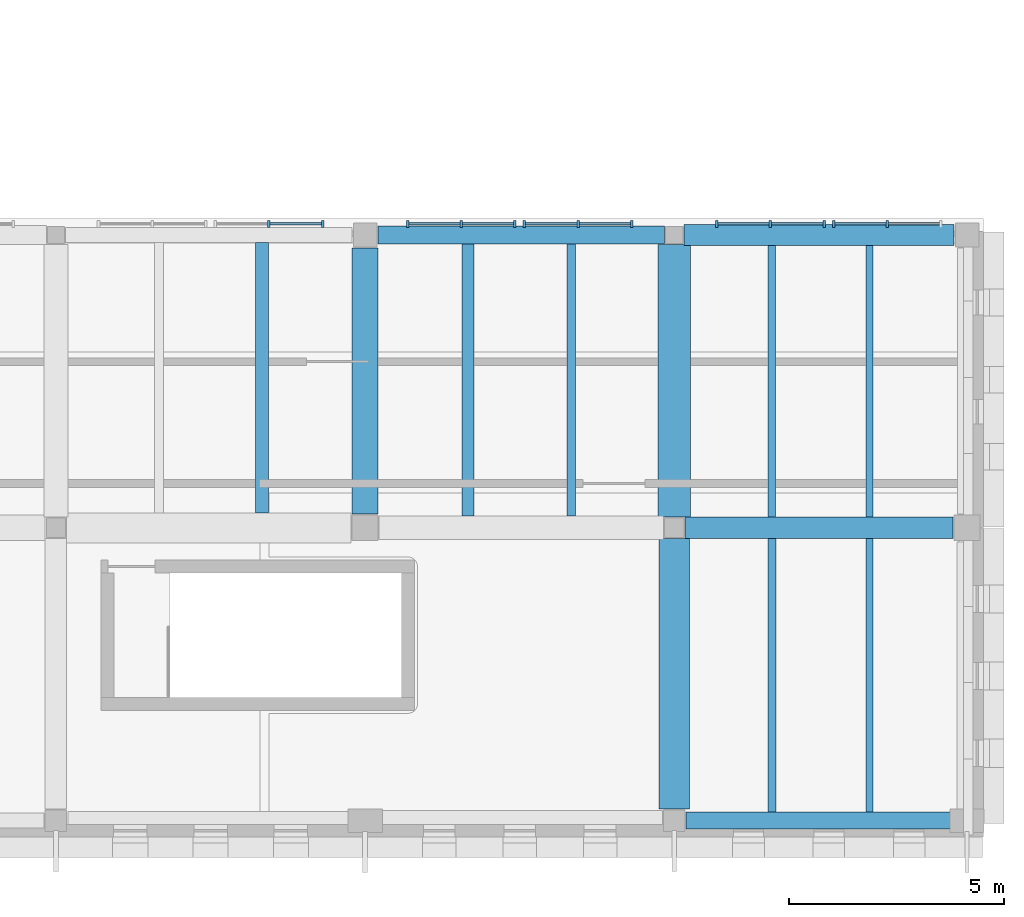
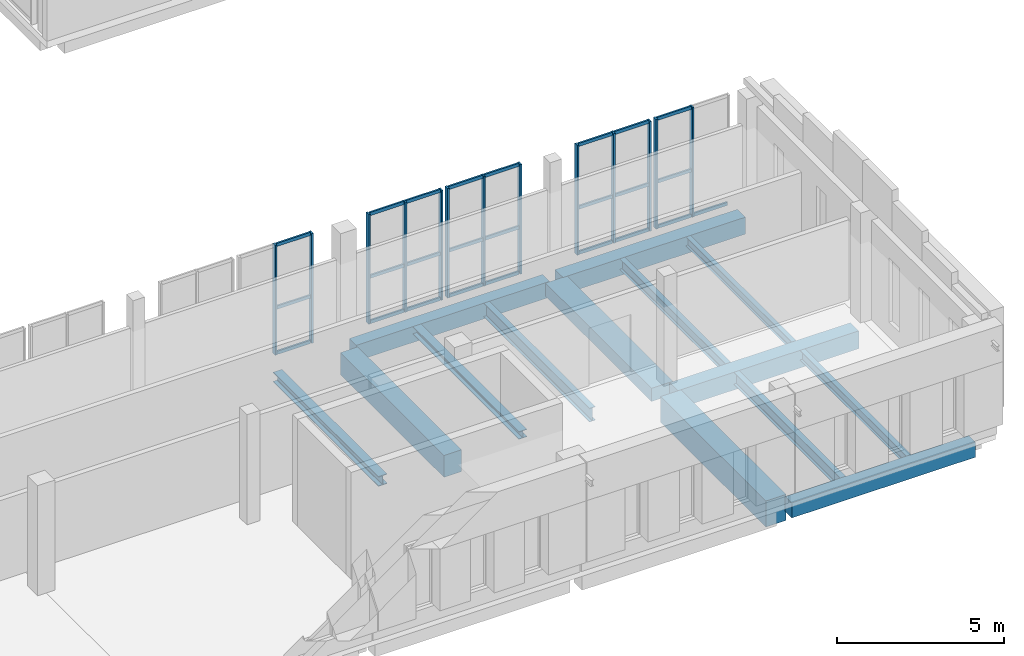
# One storey, part 22 of 56: 38 members, 14 beams, 5 elements without a shape of their own.
"""IFC4 building model written with IfcOpenShell, lengths in metres."""

from ifc_helpers import new_model, si_unit, direction, frame, origin, origin_2d, place, context, subcontext, project, spatial, rectangle, i_section, extrude, material, layer, layer_set, material_profile, profile_set, type_object, element, aggregate, save


model = new_model("IFC4")

# Units and contexts
model_context = context("Model", 3, precision=1e-05, world=origin(), true_north=direction((0.0, 1.0)))
body_context = subcontext(model_context, "Body", "Model", "MODEL_VIEW")
ifc_project = project(units=[si_unit("LENGTHUNIT", "METRE"), si_unit("AREAUNIT", "SQUARE_METRE"), si_unit("VOLUMEUNIT", "CUBIC_METRE"), si_unit("PLANEANGLEUNIT", "RADIAN"), si_unit("MASSUNIT", "GRAM", prefix="KILO")], contexts=[model_context])

# Site, building, storey
site_placement = place(None, origin())
site = spatial("IfcSite", under=ifc_project, at=site_placement, CompositionType="ELEMENT")
building_placement = place(site_placement, origin())
building = spatial("IfcBuilding", under=site, at=building_placement, Name="Vardoun Plaza Health Centre", CompositionType="ELEMENT")
storey_placement = place(building_placement, frame((0.0, 0.0, 8.699951171875)))
storey = spatial("IfcBuildingStorey", under=building, at=storey_placement, Name="L02", CompositionType="ELEMENT", Elevation=8.699951171875)

# Beams
ifc_material_1 = material(Name="Concrete C35/45", Category="concrete")
ifc_material_profile_1 = material_profile(ifc_material_1, rectangle(XDim=0.39990234375, YDim=0.550048828125, at=origin_2d()), Name="RC-BM 400x550")
ifc_profile_set_1 = profile_set([ifc_material_profile_1], Name="Concrete C35/45")
beam_type_1 = type_object("IfcBeamType", Name="B-09", PredefinedType="SPANDREL", material=ifc_profile_set_1)
beam_1_placement = place(storey_placement, frame((158.375, 4.8798828125, -0.570068359375), z_axis=(1.0, 0.0, 0.0), x_axis=(0.0, 1.0, 0.0)))
element("IfcBeam", 1, at=beam_1_placement, inside=storey, type_object=beam_type_1, Name="V5 L02 Beam B-V5-L02-X22", PredefinedType="SPANDREL", context=body_context, shape_type="SweptSolid", body=[
    extrude(rectangle(XDim=0.39990234375, YDim=0.550048828125, at=origin_2d()), origin(), (0.0, 0.0, 1.0), 6.344970703125),
])
ifc_material_2 = material(Name="Concrete C35/45", Category="concrete")
ifc_material_profile_2 = material_profile(ifc_material_2, rectangle(XDim=0.419921875, YDim=0.580078125, at=origin_2d()), Name="RC-BM 420x580")
ifc_profile_set_2 = profile_set([ifc_material_profile_2], Name="Concrete C35/45")
beam_type_2 = type_object("IfcBeamType", Name="B-10", PredefinedType="SPANDREL", material=ifc_profile_set_2)
beam_2_placement = place(storey_placement, frame((151.199951171875, 18.52001953125, -0.5849609375), z_axis=(1.0, 0.0, 0.0), x_axis=(0.0, 1.0, 0.0)))
element("IfcBeam", 2, at=beam_2_placement, inside=storey, type_object=beam_type_2, Name="V5 L02 Beam B-V5-L02-X21", PredefinedType="SPANDREL", context=body_context, shape_type="SweptSolid", body=[
    extrude(rectangle(XDim=0.419921875, YDim=0.580078125, at=origin_2d()), origin(), (0.0, 0.0, 1.0), 6.675048828125),
])
ifc_material_3 = material(Name="Concrete C35/45", Category="concrete")
ifc_material_profile_3 = material_profile(ifc_material_3, rectangle(XDim=0.47998046875, YDim=0.6201171875, at=origin_2d()), Name="RC-BM 480x620")
ifc_profile_set_3 = profile_set([ifc_material_profile_3], Name="Concrete C35/45")
beam_type_3 = type_object("IfcBeamType", Name="B-12", PredefinedType="SPANDREL", material=ifc_profile_set_3)
beam_3_placement = place(storey_placement, frame((158.324951171875, 18.52001953125, -0.60498046875), z_axis=(1.0, 0.0, 0.0), x_axis=(0.0, 1.0, 0.0)))
element("IfcBeam", 3, at=beam_3_placement, inside=storey, type_object=beam_type_3, Name="V5 L02 Beam B-V5-L02-X24", PredefinedType="SPANDREL", context=body_context, shape_type="SweptSolid", body=[
    extrude(rectangle(XDim=0.47998046875, YDim=0.6201171875, at=origin_2d()), origin(), (0.0, 0.0, 1.0), 6.295166015625),
])
ifc_material_4 = material(Name="Concrete C40/50", Category="concrete")
ifc_material_profile_4 = material_profile(ifc_material_4, rectangle(XDim=0.5, YDim=0.64990234375, at=origin_2d()), Name="RC-BM 500x650")
ifc_profile_set_4 = profile_set([ifc_material_profile_4], Name="Concrete C40/50")
beam_type_4 = type_object("IfcBeamType", Name="B-13", PredefinedType="BEAM", material=ifc_profile_set_4)
beam_4_placement = place(storey_placement, frame((158.35009765625, 11.699951171875, -0.619873046875), z_axis=(1.0, 0.0, 0.0), x_axis=(0.0, 1.0, 0.0)))
element("IfcBeam", 4, at=beam_4_placement, inside=storey, type_object=beam_type_4, Name="V5 L02 Beam B-V5-L02-X23", PredefinedType="BEAM", context=body_context, shape_type="SweptSolid", body=[
    extrude(rectangle(XDim=0.5, YDim=0.64990234375, at=origin_2d()), origin(), (0.0, 0.0, 1.0), 6.244873046875),
])
ifc_material_5 = material(Name="Concrete C40/50", Category="concrete")
ifc_material_profile_5 = material_profile(ifc_material_5, rectangle(XDim=0.60009765625, YDim=0.800048828125, at=origin_2d()), Name="RC-BM 600x800")
ifc_profile_set_5 = profile_set([ifc_material_profile_5], Name="Concrete C40/50")
beam_type_5 = type_object("IfcBeamType", Name="B-15", PredefinedType="JOIST", material=ifc_profile_set_5)
beam_5_placement = place(storey_placement, frame((150.89990234375, 12.02490234375, -0.695068359375), z_axis=(0.0, 1.0, 0.0), x_axis=(-1.0, 0.0, 0.0)))
element("IfcBeam", 5, at=beam_5_placement, inside=storey, type_object=beam_type_5, Name="V5 L02 Beam B-V5-L02-Y36", PredefinedType="JOIST", context=body_context, shape_type="SweptSolid", body=[
    extrude(rectangle(XDim=0.60009765625, YDim=0.800048828125, at=origin_2d()), origin(), (0.0, 0.0, 1.0), 6.195068359375),
])
ifc_material_6 = material(Name="Concrete C40/50", Category="concrete")
ifc_material_profile_6 = material_profile(ifc_material_6, rectangle(XDim=0.699951171875, YDim=0.949951171875, at=origin_2d()), Name="RC-BM 700x950")
ifc_profile_set_6 = profile_set([ifc_material_profile_6], Name="Concrete C40/50")
beam_type_6 = type_object("IfcBeamType", Name="B-16", PredefinedType="LINTEL", material=ifc_profile_set_6)
beam_6_placement = place(storey_placement, frame((158.10009765625, 5.155029296875, -0.77001953125), z_axis=(0.0, 1.0, 0.0), x_axis=(-1.0, 0.0, 0.0)))
element("IfcBeam", 6, at=beam_6_placement, inside=storey, type_object=beam_type_6, Name="V5 L02 Beam B-V5-L02-Y37", PredefinedType="LINTEL", context=body_context, shape_type="SweptSolid", body=[
    extrude(rectangle(XDim=0.699951171875, YDim=0.949951171875, at=origin_2d()), origin(), (0.0, 0.0, 1.0), 6.294921875),
])
ifc_material_7 = material(Name="Concrete C35/45", Category="concrete")
ifc_material_profile_7 = material_profile(ifc_material_7, rectangle(XDim=0.75, YDim=0.47998046875, at=origin_2d()), Name="RC-BM 750x480")
ifc_profile_set_7 = profile_set([ifc_material_profile_7], Name="Concrete C35/45")
beam_type_7 = type_object("IfcBeamType", Name="B-07", PredefinedType="BEAM", material=ifc_profile_set_7)
beam_7_placement = place(storey_placement, frame((158.10009765625, 11.949951171875, -0.534912109375), z_axis=(0.0, 1.0, 0.0), x_axis=(-1.0, 0.0, 0.0)))
element("IfcBeam", 7, at=beam_7_placement, inside=storey, type_object=beam_type_7, Name="V5 L02 Beam B-V5-L02-Y38", PredefinedType="BEAM", context=body_context, shape_type="SweptSolid", body=[
    extrude(rectangle(XDim=0.75, YDim=0.47998046875, at=origin_2d()), origin(), (0.0, 0.0, 1.0), 6.344970703125),
])
ifc_material_8 = material(Name="Steel S355J2", Category="steel")
ifc_material_profile_8 = material_profile(ifc_material_8, i_section(OverallWidth=0.280029296875, OverallDepth=0.280029296875, WebThickness=0.010498046875, FlangeThickness=0.01806640625, FilletRadius=0.02392578125, at=origin_2d()), Name="HEB 280")
ifc_profile_set_8 = profile_set([ifc_material_profile_8], Name="Steel S355J2")
beam_type_8 = type_object("IfcBeamType", Name="SB-02", PredefinedType="BEAM", material=ifc_profile_set_8)
beam_8_placement = place(storey_placement, frame((153.2998046875, 11.97509765625, -0.43505859375), z_axis=(0.0, 1.0, 0.0), x_axis=(-1.0, 0.0, 0.0)))
element("IfcBeam", 8, at=beam_8_placement, inside=storey, type_object=beam_type_8, Name="V5 L02 Secondary Floor Beam SJ-V5-L02-19", PredefinedType="BEAM", context=body_context, shape_type="SweptSolid", body=[
    extrude(i_section(OverallWidth=0.280029296875, OverallDepth=0.280029296875, WebThickness=0.010498046875, FlangeThickness=0.01806640625, FilletRadius=0.02392578125, at=origin_2d()), origin(), (0.0, 0.0, 1.0), 6.3349609375),
])
ifc_material_9 = material(Name="Steel S355J2", Category="steel")
ifc_material_profile_9 = material_profile(ifc_material_9, i_section(OverallWidth=0.300048828125, OverallDepth=0.360107421875, WebThickness=0.012451171875, FlangeThickness=0.0224609375, FilletRadius=0.027099609375, at=origin_2d()), Name="HEB 360")
ifc_profile_set_9 = profile_set([ifc_material_profile_9], Name="Steel S355J2")
beam_type_9 = type_object("IfcBeamType", Name="RB-04", PredefinedType="BEAM", material=ifc_profile_set_9)
beam_9_placement = place(storey_placement, frame((148.500244140625, 12.050048828125, -0.474853515625), z_axis=(0.0, 1.0, 0.0), x_axis=(-1.0, 0.0, 0.0)))
element("IfcBeam", 9, at=beam_9_placement, inside=storey, type_object=beam_type_9, Name="V5 L02 Secondary Floor Beam SJ-V5-L02-18", PredefinedType="BEAM", context=body_context, shape_type="SweptSolid", body=[
    extrude(i_section(OverallWidth=0.300048828125, OverallDepth=0.360107421875, WebThickness=0.012451171875, FlangeThickness=0.0224609375, FilletRadius=0.027099609375, at=origin_2d()), origin(), (0.0, 0.0, 1.0), 6.294921875),
])
ifc_material_10 = material(Name="Steel S355J2", Category="steel")
ifc_material_profile_10 = material_profile(ifc_material_10, i_section(OverallWidth=0.159912109375, OverallDepth=0.330078125, WebThickness=0.007568359375, FlangeThickness=0.011474609375, FilletRadius=0.01806640625, at=origin_2d()), Name="IPE 330")
ifc_profile_set_10 = profile_set([ifc_material_profile_10], Name="Steel S355J2")
beam_type_10 = type_object("IfcBeamType", Name="SB-14", PredefinedType="JOIST", material=ifc_profile_set_10)
beam_10_placement = place(storey_placement, frame((162.64697265625, 11.949951171875, -0.4599609375), z_axis=(0.0, 1.0, 0.0), x_axis=(-1.0, 0.0, 0.0)))
element("IfcBeam", 10, at=beam_10_placement, inside=storey, type_object=beam_type_10, Name="V5 L02 Secondary Floor Beam SJ-V5-L02-24", PredefinedType="JOIST", context=body_context, shape_type="SweptSolid", body=[
    extrude(i_section(OverallWidth=0.159912109375, OverallDepth=0.330078125, WebThickness=0.007568359375, FlangeThickness=0.011474609375, FilletRadius=0.01806640625, at=origin_2d()), origin(), (0.0, 0.0, 1.0), 6.330078125),
])
ifc_material_11 = material(Name="Steel S355J2", Category="steel")
ifc_material_profile_11 = material_profile(ifc_material_11, i_section(OverallWidth=0.169921875, OverallDepth=0.360107421875, WebThickness=0.008056640625, FlangeThickness=0.0126953125, FilletRadius=0.01806640625, at=origin_2d()), Name="IPE 360")
ifc_profile_set_11 = profile_set([ifc_material_profile_11], Name="Steel S355J2")
beam_type_11 = type_object("IfcBeamType", Name="SB-13", PredefinedType="JOIST", material=ifc_profile_set_11)
beam_11_placement = place(storey_placement, frame((162.64697265625, 5.080078125, -0.474853515625), z_axis=(0.0, 1.0, 0.0), x_axis=(-1.0, 0.0, 0.0)))
element("IfcBeam", 11, at=beam_11_placement, inside=storey, type_object=beam_type_11, Name="V5 L02 Secondary Floor Beam SJ-V5-L02-23", PredefinedType="JOIST", context=body_context, shape_type="SweptSolid", body=[
    extrude(i_section(OverallWidth=0.169921875, OverallDepth=0.360107421875, WebThickness=0.008056640625, FlangeThickness=0.0126953125, FilletRadius=0.01806640625, at=origin_2d()), origin(), (0.0, 0.0, 1.0), 6.369873046875),
])
ifc_material_12 = material(Name="Steel S355J2", Category="steel")
ifc_material_profile_12 = material_profile(ifc_material_12, i_section(OverallWidth=0.179931640625, OverallDepth=0.39990234375, WebThickness=0.008544921875, FlangeThickness=0.013427734375, FilletRadius=0.02099609375, at=origin_2d()), Name="IPE 400")
ifc_profile_set_12 = profile_set([ifc_material_profile_12], Name="Steel S355J2")
beam_type_12 = type_object("IfcBeamType", Name="SB-12", PredefinedType="BEAM", material=ifc_profile_set_12)
beam_12_placement = place(storey_placement, frame((160.373046875, 11.949951171875, -0.494873046875), z_axis=(0.0, 1.0, 0.0), x_axis=(-1.0, 0.0, 0.0)))
element("IfcBeam", 12, at=beam_12_placement, inside=storey, type_object=beam_type_12, Name="V5 L02 Secondary Floor Beam SJ-V5-L02-22", PredefinedType="BEAM", context=body_context, shape_type="SweptSolid", body=[
    extrude(i_section(OverallWidth=0.179931640625, OverallDepth=0.39990234375, WebThickness=0.008544921875, FlangeThickness=0.013427734375, FilletRadius=0.02099609375, at=origin_2d()), origin(), (0.0, 0.0, 1.0), 6.330078125),
])
ifc_material_13 = material(Name="Steel S355J2", Category="steel")
ifc_material_profile_13 = material_profile(ifc_material_13, i_section(OverallWidth=0.18994140625, OverallDepth=0.449951171875, WebThickness=0.009521484375, FlangeThickness=0.0146484375, FilletRadius=0.02099609375, at=origin_2d()), Name="IPE 450")
ifc_profile_set_13 = profile_set([ifc_material_profile_13], Name="Steel S355J2")
beam_type_13 = type_object("IfcBeamType", Name="SB-11", PredefinedType="BEAM", material=ifc_profile_set_13)
beam_13_placement = place(storey_placement, frame((160.373046875, 5.080078125, -0.52001953125), z_axis=(0.0, 1.0, 0.0), x_axis=(-1.0, 0.0, 0.0)))
element("IfcBeam", 13, at=beam_13_placement, inside=storey, type_object=beam_type_13, Name="V5 L02 Secondary Floor Beam SJ-V5-L02-21", PredefinedType="BEAM", context=body_context, shape_type="SweptSolid", body=[
    extrude(i_section(OverallWidth=0.18994140625, OverallDepth=0.449951171875, WebThickness=0.009521484375, FlangeThickness=0.0146484375, FilletRadius=0.02099609375, at=origin_2d()), origin(), (0.0, 0.0, 1.0), 6.369873046875),
])
ifc_material_14 = material(Name="Steel S355J2", Category="steel")
ifc_material_profile_14 = material_profile(ifc_material_14, i_section(OverallWidth=0.199951171875, OverallDepth=0.5, WebThickness=0.01025390625, FlangeThickness=0.01611328125, FilletRadius=0.02099609375, at=origin_2d()), Name="IPE 500")
ifc_profile_set_14 = profile_set([ifc_material_profile_14], Name="Steel S355J2")
beam_type_14 = type_object("IfcBeamType", Name="SB-10", PredefinedType="BEAM", material=ifc_profile_set_14)
beam_14_placement = place(storey_placement, frame((155.7001953125, 11.97509765625, -0.544921875), z_axis=(0.0, 1.0, 0.0), x_axis=(-1.0, 0.0, 0.0)))
element("IfcBeam", 14, at=beam_14_placement, inside=storey, type_object=beam_type_14, Name="V5 L02 Secondary Floor Beam SJ-V5-L02-20", PredefinedType="BEAM", context=body_context, shape_type="SweptSolid", body=[
    extrude(i_section(OverallWidth=0.199951171875, OverallDepth=0.5, WebThickness=0.01025390625, FlangeThickness=0.01611328125, FilletRadius=0.02099609375, at=origin_2d()), origin(), (0.0, 0.0, 1.0), 6.3349609375),
])

# Curtain wall, members
ifc_material_15 = material(Name="Aluminium Alloy EN AW-6063-T6 and Low-E Glass", Category="aluminium")
ifc_layer = layer(ifc_material_15, 0.14990234375)
ifc_layer_set = layer_set([ifc_layer], Name="Aluminium Alloy EN AW-6063-T6 and Low-E Glass")
curtain_wall_type = type_object("IfcCurtainWallType", Name="CW-03", PredefinedType="NOTDEFINED", material=ifc_layer_set)
curtain_wall_1_placement = place(storey_placement, origin())
curtain_wall_1 = element("IfcCurtainWall", 15, at=curtain_wall_1_placement, inside=storey, type_object=curtain_wall_type, Name="Curtain Wall CW-V5-176", PredefinedType="NOTDEFINED")
ifc_material_16 = material(Name="Aluminium Alloy EN AW-6063-T6", Category="aluminium")
ifc_material_profile_15 = material_profile(ifc_material_16, rectangle(XDim=0.159912109375, YDim=0.06005859375, at=origin_2d()), Name="CWM 60x160")
ifc_profile_set_15 = profile_set([ifc_material_profile_15], Name="Aluminium Alloy EN AW-6063-T6")
member_type_1 = type_object("IfcMemberType", Name="CW-M1", PredefinedType="MULLION", material=ifc_profile_set_15)
member_1_placement = place(storey_placement, frame((148.659912109375, 18.780029296875, 0.0), z_axis=(0.0, 0.0, 1.0), x_axis=(0.0, 1.0, 0.0)))
member_1 = element("IfcMember", 16, at=member_1_placement, type_object=member_type_1, Name="CW-V5-176 mullion 2", PredefinedType="MULLION", context=body_context, shape_type="SweptSolid", body=[
    extrude(rectangle(XDim=0.159912109375, YDim=0.06005859375, at=origin_2d()), origin(), (0.0, 0.0, 1.0), 4.005126953125),
])
member_2_placement = place(storey_placement, frame((149.909912109375, 18.780029296875, 0.0), z_axis=(0.0, 0.0, 1.0), x_axis=(0.0, 1.0, 0.0)))
member_2 = element("IfcMember", 17, at=member_2_placement, type_object=member_type_1, Name="CW-V5-176 mullion 3", PredefinedType="MULLION", context=body_context, shape_type="SweptSolid", body=[
    extrude(rectangle(XDim=0.159912109375, YDim=0.06005859375, at=origin_2d()), origin(), (0.0, 0.0, 1.0), 4.005126953125),
])

curtain_wall_2_placement = place(storey_placement, origin())
curtain_wall_2 = element("IfcCurtainWall", 18, at=curtain_wall_2_placement, inside=storey, type_object=curtain_wall_type, Name="Curtain Wall CW-V5-177", PredefinedType="NOTDEFINED")
member_3_placement = place(storey_placement, frame((151.889892578125, 18.780029296875, 0.0), z_axis=(0.0, 0.0, 1.0), x_axis=(0.0, 1.0, 0.0)))
member_3 = element("IfcMember", 19, at=member_3_placement, type_object=member_type_1, Name="CW-V5-177 mullion 1", PredefinedType="MULLION", context=body_context, shape_type="SweptSolid", body=[
    extrude(rectangle(XDim=0.159912109375, YDim=0.06005859375, at=origin_2d()), origin(), (0.0, 0.0, 1.0), 4.005126953125),
])
member_4_placement = place(storey_placement, frame((153.139892578125, 18.780029296875, 0.0), z_axis=(0.0, 0.0, 1.0), x_axis=(0.0, 1.0, 0.0)))
member_4 = element("IfcMember", 20, at=member_4_placement, type_object=member_type_1, Name="CW-V5-177 mullion 2", PredefinedType="MULLION", context=body_context, shape_type="SweptSolid", body=[
    extrude(rectangle(XDim=0.159912109375, YDim=0.06005859375, at=origin_2d()), origin(), (0.0, 0.0, 1.0), 4.005126953125),
])
member_5_placement = place(storey_placement, frame((154.389892578125, 18.780029296875, 0.0), z_axis=(0.0, 0.0, 1.0), x_axis=(0.0, 1.0, 0.0)))
member_5 = element("IfcMember", 21, at=member_5_placement, type_object=member_type_1, Name="CW-V5-177 mullion 3", PredefinedType="MULLION", context=body_context, shape_type="SweptSolid", body=[
    extrude(rectangle(XDim=0.159912109375, YDim=0.06005859375, at=origin_2d()), origin(), (0.0, 0.0, 1.0), 4.005126953125),
])

curtain_wall_3_placement = place(storey_placement, origin())
curtain_wall_3 = element("IfcCurtainWall", 22, at=curtain_wall_3_placement, inside=storey, type_object=curtain_wall_type, Name="Curtain Wall CW-V5-178", PredefinedType="NOTDEFINED")
member_6_placement = place(storey_placement, frame((154.610107421875, 18.780029296875, 0.0), z_axis=(0.0, 0.0, 1.0), x_axis=(0.0, 1.0, 0.0)))
member_6 = element("IfcMember", 23, at=member_6_placement, type_object=member_type_1, Name="CW-V5-178 mullion 1", PredefinedType="MULLION", context=body_context, shape_type="SweptSolid", body=[
    extrude(rectangle(XDim=0.159912109375, YDim=0.06005859375, at=origin_2d()), origin(), (0.0, 0.0, 1.0), 4.005126953125),
])
member_7_placement = place(storey_placement, frame((155.860107421875, 18.780029296875, 0.0), z_axis=(0.0, 0.0, 1.0), x_axis=(0.0, 1.0, 0.0)))
member_7 = element("IfcMember", 24, at=member_7_placement, type_object=member_type_1, Name="CW-V5-178 mullion 2", PredefinedType="MULLION", context=body_context, shape_type="SweptSolid", body=[
    extrude(rectangle(XDim=0.159912109375, YDim=0.06005859375, at=origin_2d()), origin(), (0.0, 0.0, 1.0), 4.005126953125),
])
member_8_placement = place(storey_placement, frame((157.110107421875, 18.780029296875, 0.0), z_axis=(0.0, 0.0, 1.0), x_axis=(0.0, 1.0, 0.0)))
member_8 = element("IfcMember", 25, at=member_8_placement, type_object=member_type_1, Name="CW-V5-178 mullion 3", PredefinedType="MULLION", context=body_context, shape_type="SweptSolid", body=[
    extrude(rectangle(XDim=0.159912109375, YDim=0.06005859375, at=origin_2d()), origin(), (0.0, 0.0, 1.0), 4.005126953125),
])

curtain_wall_4_placement = place(storey_placement, origin())
curtain_wall_4 = element("IfcCurtainWall", 26, at=curtain_wall_4_placement, inside=storey, type_object=curtain_wall_type, Name="Curtain Wall CW-V5-179", PredefinedType="NOTDEFINED")
member_9_placement = place(storey_placement, frame((159.090087890625, 18.780029296875, 0.0), z_axis=(0.0, 0.0, 1.0), x_axis=(0.0, 1.0, 0.0)))
member_9 = element("IfcMember", 27, at=member_9_placement, type_object=member_type_1, Name="CW-V5-179 mullion 1", PredefinedType="MULLION", context=body_context, shape_type="SweptSolid", body=[
    extrude(rectangle(XDim=0.159912109375, YDim=0.06005859375, at=origin_2d()), origin(), (0.0, 0.0, 1.0), 4.005126953125),
])
member_10_placement = place(storey_placement, frame((160.340087890625, 18.780029296875, 0.0), z_axis=(0.0, 0.0, 1.0), x_axis=(0.0, 1.0, 0.0)))
member_10 = element("IfcMember", 28, at=member_10_placement, type_object=member_type_1, Name="CW-V5-179 mullion 2", PredefinedType="MULLION", context=body_context, shape_type="SweptSolid", body=[
    extrude(rectangle(XDim=0.159912109375, YDim=0.06005859375, at=origin_2d()), origin(), (0.0, 0.0, 1.0), 4.005126953125),
])
member_11_placement = place(storey_placement, frame((161.590087890625, 18.780029296875, 0.0), z_axis=(0.0, 0.0, 1.0), x_axis=(0.0, 1.0, 0.0)))
member_11 = element("IfcMember", 29, at=member_11_placement, type_object=member_type_1, Name="CW-V5-179 mullion 3", PredefinedType="MULLION", context=body_context, shape_type="SweptSolid", body=[
    extrude(rectangle(XDim=0.159912109375, YDim=0.06005859375, at=origin_2d()), origin(), (0.0, 0.0, 1.0), 4.005126953125),
])

curtain_wall_5_placement = place(storey_placement, origin())
curtain_wall_5 = element("IfcCurtainWall", 30, at=curtain_wall_5_placement, inside=storey, type_object=curtain_wall_type, Name="Curtain Wall CW-V5-180", PredefinedType="NOTDEFINED")
member_12_placement = place(storey_placement, frame((161.81005859375, 18.780029296875, 0.0), z_axis=(0.0, 0.0, 1.0), x_axis=(0.0, 1.0, 0.0)))
member_12 = element("IfcMember", 31, at=member_12_placement, type_object=member_type_1, Name="CW-V5-180 mullion 1", PredefinedType="MULLION", context=body_context, shape_type="SweptSolid", body=[
    extrude(rectangle(XDim=0.159912109375, YDim=0.06005859375, at=origin_2d()), origin(), (0.0, 0.0, 1.0), 4.005126953125),
])
member_13_placement = place(storey_placement, frame((163.06005859375, 18.780029296875, 0.0), z_axis=(0.0, 0.0, 1.0), x_axis=(0.0, 1.0, 0.0)))
member_13 = element("IfcMember", 32, at=member_13_placement, type_object=member_type_1, Name="CW-V5-180 mullion 2", PredefinedType="MULLION", context=body_context, shape_type="SweptSolid", body=[
    extrude(rectangle(XDim=0.159912109375, YDim=0.06005859375, at=origin_2d()), origin(), (0.0, 0.0, 1.0), 4.005126953125),
])

# Member
ifc_material_17 = material(Name="Aluminium Alloy EN AW-6063-T6", Category="aluminium")
ifc_material_profile_16 = material_profile(ifc_material_17, rectangle(XDim=0.06005859375, YDim=0.1201171875, at=origin_2d()), Name="CWT 60x120")
ifc_profile_set_16 = profile_set([ifc_material_profile_16], Name="Aluminium Alloy EN AW-6063-T6")
member_type_2 = type_object("IfcMemberType", Name="CW-T1", PredefinedType="USERDEFINED", material=ifc_profile_set_16)
member_14_placement = place(storey_placement, frame((148.690185546875, 18.780029296875, 0.030029296875), z_axis=(1.0, 0.0, 0.0), x_axis=(0.0, 1.0, 0.0)))
member_14 = element("IfcMember", 33, at=member_14_placement, type_object=member_type_2, Name="CW-V5-176 transom 2.1", ObjectType="TRANSOM", PredefinedType="USERDEFINED", context=body_context, shape_type="SweptSolid", body=[
    extrude(rectangle(XDim=0.06005859375, YDim=0.1201171875, at=origin_2d()), origin(), (0.0, 0.0, 1.0), 1.189697265625),
])

member_15_placement = place(storey_placement, frame((148.690185546875, 18.780029296875, 1.68212890625), z_axis=(1.0, 0.0, 0.0), x_axis=(0.0, 1.0, 0.0)))
member_15 = element("IfcMember", 34, at=member_15_placement, type_object=member_type_2, Name="CW-V5-176 transom 2.2", ObjectType="TRANSOM", PredefinedType="USERDEFINED", context=body_context, shape_type="SweptSolid", body=[
    extrude(rectangle(XDim=0.06005859375, YDim=0.1201171875, at=origin_2d()), origin(), (0.0, 0.0, 1.0), 1.189697265625),
])

member_16_placement = place(storey_placement, frame((148.690185546875, 18.780029296875, 3.97509765625), z_axis=(1.0, 0.0, 0.0), x_axis=(0.0, 1.0, 0.0)))
member_16 = element("IfcMember", 35, at=member_16_placement, type_object=member_type_2, Name="CW-V5-176 transom 2.3", ObjectType="TRANSOM", PredefinedType="USERDEFINED", context=body_context, shape_type="SweptSolid", body=[
    extrude(rectangle(XDim=0.06005859375, YDim=0.1201171875, at=origin_2d()), origin(), (0.0, 0.0, 1.0), 1.189697265625),
])

aggregate(curtain_wall_1, [member_1, member_2, member_14, member_15, member_16])

member_17_placement = place(storey_placement, frame((151.919921875, 18.780029296875, 0.030029296875), z_axis=(1.0, 0.0, 0.0), x_axis=(0.0, 1.0, 0.0)))
member_17 = element("IfcMember", 36, at=member_17_placement, type_object=member_type_2, Name="CW-V5-177 transom 1.1", ObjectType="TRANSOM", PredefinedType="USERDEFINED", context=body_context, shape_type="SweptSolid", body=[
    extrude(rectangle(XDim=0.06005859375, YDim=0.1201171875, at=origin_2d()), origin(), (0.0, 0.0, 1.0), 1.190185546875),
])

member_18_placement = place(storey_placement, frame((151.919921875, 18.780029296875, 1.68212890625), z_axis=(1.0, 0.0, 0.0), x_axis=(0.0, 1.0, 0.0)))
member_18 = element("IfcMember", 37, at=member_18_placement, type_object=member_type_2, Name="CW-V5-177 transom 1.2", ObjectType="TRANSOM", PredefinedType="USERDEFINED", context=body_context, shape_type="SweptSolid", body=[
    extrude(rectangle(XDim=0.06005859375, YDim=0.1201171875, at=origin_2d()), origin(), (0.0, 0.0, 1.0), 1.190185546875),
])

member_19_placement = place(storey_placement, frame((151.919921875, 18.780029296875, 3.97509765625), z_axis=(1.0, 0.0, 0.0), x_axis=(0.0, 1.0, 0.0)))
member_19 = element("IfcMember", 38, at=member_19_placement, type_object=member_type_2, Name="CW-V5-177 transom 1.3", ObjectType="TRANSOM", PredefinedType="USERDEFINED", context=body_context, shape_type="SweptSolid", body=[
    extrude(rectangle(XDim=0.06005859375, YDim=0.1201171875, at=origin_2d()), origin(), (0.0, 0.0, 1.0), 1.190185546875),
])

member_20_placement = place(storey_placement, frame((153.169921875, 18.780029296875, 0.030029296875), z_axis=(1.0, 0.0, 0.0), x_axis=(0.0, 1.0, 0.0)))
member_20 = element("IfcMember", 39, at=member_20_placement, type_object=member_type_2, Name="CW-V5-177 transom 2.1", ObjectType="TRANSOM", PredefinedType="USERDEFINED", context=body_context, shape_type="SweptSolid", body=[
    extrude(rectangle(XDim=0.06005859375, YDim=0.1201171875, at=origin_2d()), origin(), (0.0, 0.0, 1.0), 1.190185546875),
])

member_21_placement = place(storey_placement, frame((153.169921875, 18.780029296875, 1.68212890625), z_axis=(1.0, 0.0, 0.0), x_axis=(0.0, 1.0, 0.0)))
member_21 = element("IfcMember", 40, at=member_21_placement, type_object=member_type_2, Name="CW-V5-177 transom 2.2", ObjectType="TRANSOM", PredefinedType="USERDEFINED", context=body_context, shape_type="SweptSolid", body=[
    extrude(rectangle(XDim=0.06005859375, YDim=0.1201171875, at=origin_2d()), origin(), (0.0, 0.0, 1.0), 1.190185546875),
])

member_22_placement = place(storey_placement, frame((153.169921875, 18.780029296875, 3.97509765625), z_axis=(1.0, 0.0, 0.0), x_axis=(0.0, 1.0, 0.0)))
member_22 = element("IfcMember", 41, at=member_22_placement, type_object=member_type_2, Name="CW-V5-177 transom 2.3", ObjectType="TRANSOM", PredefinedType="USERDEFINED", context=body_context, shape_type="SweptSolid", body=[
    extrude(rectangle(XDim=0.06005859375, YDim=0.1201171875, at=origin_2d()), origin(), (0.0, 0.0, 1.0), 1.190185546875),
])

aggregate(curtain_wall_2, [member_3, member_4, member_5, member_17, member_18, member_19, member_20, member_21, member_22])

member_23_placement = place(storey_placement, frame((154.639892578125, 18.780029296875, 0.030029296875), z_axis=(1.0, 0.0, 0.0), x_axis=(0.0, 1.0, 0.0)))
member_23 = element("IfcMember", 42, at=member_23_placement, type_object=member_type_2, Name="CW-V5-178 transom 1.1", ObjectType="TRANSOM", PredefinedType="USERDEFINED", context=body_context, shape_type="SweptSolid", body=[
    extrude(rectangle(XDim=0.06005859375, YDim=0.1201171875, at=origin_2d()), origin(), (0.0, 0.0, 1.0), 1.190185546875),
])

member_24_placement = place(storey_placement, frame((154.639892578125, 18.780029296875, 1.68212890625), z_axis=(1.0, 0.0, 0.0), x_axis=(0.0, 1.0, 0.0)))
member_24 = element("IfcMember", 43, at=member_24_placement, type_object=member_type_2, Name="CW-V5-178 transom 1.2", ObjectType="TRANSOM", PredefinedType="USERDEFINED", context=body_context, shape_type="SweptSolid", body=[
    extrude(rectangle(XDim=0.06005859375, YDim=0.1201171875, at=origin_2d()), origin(), (0.0, 0.0, 1.0), 1.190185546875),
])

member_25_placement = place(storey_placement, frame((154.639892578125, 18.780029296875, 3.97509765625), z_axis=(1.0, 0.0, 0.0), x_axis=(0.0, 1.0, 0.0)))
member_25 = element("IfcMember", 44, at=member_25_placement, type_object=member_type_2, Name="CW-V5-178 transom 1.3", ObjectType="TRANSOM", PredefinedType="USERDEFINED", context=body_context, shape_type="SweptSolid", body=[
    extrude(rectangle(XDim=0.06005859375, YDim=0.1201171875, at=origin_2d()), origin(), (0.0, 0.0, 1.0), 1.190185546875),
])

member_26_placement = place(storey_placement, frame((155.889892578125, 18.780029296875, 0.030029296875), z_axis=(1.0, 0.0, 0.0), x_axis=(0.0, 1.0, 0.0)))
member_26 = element("IfcMember", 45, at=member_26_placement, type_object=member_type_2, Name="CW-V5-178 transom 2.1", ObjectType="TRANSOM", PredefinedType="USERDEFINED", context=body_context, shape_type="SweptSolid", body=[
    extrude(rectangle(XDim=0.06005859375, YDim=0.1201171875, at=origin_2d()), origin(), (0.0, 0.0, 1.0), 1.190185546875),
])

member_27_placement = place(storey_placement, frame((155.889892578125, 18.780029296875, 1.68212890625), z_axis=(1.0, 0.0, 0.0), x_axis=(0.0, 1.0, 0.0)))
member_27 = element("IfcMember", 46, at=member_27_placement, type_object=member_type_2, Name="CW-V5-178 transom 2.2", ObjectType="TRANSOM", PredefinedType="USERDEFINED", context=body_context, shape_type="SweptSolid", body=[
    extrude(rectangle(XDim=0.06005859375, YDim=0.1201171875, at=origin_2d()), origin(), (0.0, 0.0, 1.0), 1.190185546875),
])

member_28_placement = place(storey_placement, frame((155.889892578125, 18.780029296875, 3.97509765625), z_axis=(1.0, 0.0, 0.0), x_axis=(0.0, 1.0, 0.0)))
member_28 = element("IfcMember", 47, at=member_28_placement, type_object=member_type_2, Name="CW-V5-178 transom 2.3", ObjectType="TRANSOM", PredefinedType="USERDEFINED", context=body_context, shape_type="SweptSolid", body=[
    extrude(rectangle(XDim=0.06005859375, YDim=0.1201171875, at=origin_2d()), origin(), (0.0, 0.0, 1.0), 1.190185546875),
])

aggregate(curtain_wall_3, [member_6, member_7, member_8, member_23, member_24, member_25, member_26, member_27, member_28])

member_29_placement = place(storey_placement, frame((159.1201171875, 18.780029296875, 0.030029296875), z_axis=(1.0, 0.0, 0.0), x_axis=(0.0, 1.0, 0.0)))
member_29 = element("IfcMember", 48, at=member_29_placement, type_object=member_type_2, Name="CW-V5-179 transom 1.1", ObjectType="TRANSOM", PredefinedType="USERDEFINED", context=body_context, shape_type="SweptSolid", body=[
    extrude(rectangle(XDim=0.06005859375, YDim=0.1201171875, at=origin_2d()), origin(), (0.0, 0.0, 1.0), 1.18994140625),
])

member_30_placement = place(storey_placement, frame((159.1201171875, 18.780029296875, 1.68212890625), z_axis=(1.0, 0.0, 0.0), x_axis=(0.0, 1.0, 0.0)))
member_30 = element("IfcMember", 49, at=member_30_placement, type_object=member_type_2, Name="CW-V5-179 transom 1.2", ObjectType="TRANSOM", PredefinedType="USERDEFINED", context=body_context, shape_type="SweptSolid", body=[
    extrude(rectangle(XDim=0.06005859375, YDim=0.1201171875, at=origin_2d()), origin(), (0.0, 0.0, 1.0), 1.18994140625),
])

member_31_placement = place(storey_placement, frame((159.1201171875, 18.780029296875, 3.97509765625), z_axis=(1.0, 0.0, 0.0), x_axis=(0.0, 1.0, 0.0)))
member_31 = element("IfcMember", 50, at=member_31_placement, type_object=member_type_2, Name="CW-V5-179 transom 1.3", ObjectType="TRANSOM", PredefinedType="USERDEFINED", context=body_context, shape_type="SweptSolid", body=[
    extrude(rectangle(XDim=0.06005859375, YDim=0.1201171875, at=origin_2d()), origin(), (0.0, 0.0, 1.0), 1.18994140625),
])

member_32_placement = place(storey_placement, frame((160.3701171875, 18.780029296875, 0.030029296875), z_axis=(1.0, 0.0, 0.0), x_axis=(0.0, 1.0, 0.0)))
member_32 = element("IfcMember", 51, at=member_32_placement, type_object=member_type_2, Name="CW-V5-179 transom 2.1", ObjectType="TRANSOM", PredefinedType="USERDEFINED", context=body_context, shape_type="SweptSolid", body=[
    extrude(rectangle(XDim=0.06005859375, YDim=0.1201171875, at=origin_2d()), origin(), (0.0, 0.0, 1.0), 1.18994140625),
])

member_33_placement = place(storey_placement, frame((160.3701171875, 18.780029296875, 1.68212890625), z_axis=(1.0, 0.0, 0.0), x_axis=(0.0, 1.0, 0.0)))
member_33 = element("IfcMember", 52, at=member_33_placement, type_object=member_type_2, Name="CW-V5-179 transom 2.2", ObjectType="TRANSOM", PredefinedType="USERDEFINED", context=body_context, shape_type="SweptSolid", body=[
    extrude(rectangle(XDim=0.06005859375, YDim=0.1201171875, at=origin_2d()), origin(), (0.0, 0.0, 1.0), 1.18994140625),
])

member_34_placement = place(storey_placement, frame((160.3701171875, 18.780029296875, 3.97509765625), z_axis=(1.0, 0.0, 0.0), x_axis=(0.0, 1.0, 0.0)))
member_34 = element("IfcMember", 53, at=member_34_placement, type_object=member_type_2, Name="CW-V5-179 transom 2.3", ObjectType="TRANSOM", PredefinedType="USERDEFINED", context=body_context, shape_type="SweptSolid", body=[
    extrude(rectangle(XDim=0.06005859375, YDim=0.1201171875, at=origin_2d()), origin(), (0.0, 0.0, 1.0), 1.18994140625),
])

aggregate(curtain_wall_4, [member_9, member_10, member_11, member_29, member_30, member_31, member_32, member_33, member_34])

member_35_placement = place(storey_placement, frame((161.840087890625, 18.780029296875, 0.030029296875), z_axis=(1.0, 0.0, 0.0), x_axis=(0.0, 1.0, 0.0)))
member_35 = element("IfcMember", 54, at=member_35_placement, type_object=member_type_2, Name="CW-V5-180 transom 1.1", ObjectType="TRANSOM", PredefinedType="USERDEFINED", context=body_context, shape_type="SweptSolid", body=[
    extrude(rectangle(XDim=0.06005859375, YDim=0.1201171875, at=origin_2d()), origin(), (0.0, 0.0, 1.0), 1.18994140625),
])

member_36_placement = place(storey_placement, frame((161.840087890625, 18.780029296875, 1.68212890625), z_axis=(1.0, 0.0, 0.0), x_axis=(0.0, 1.0, 0.0)))
member_36 = element("IfcMember", 55, at=member_36_placement, type_object=member_type_2, Name="CW-V5-180 transom 1.2", ObjectType="TRANSOM", PredefinedType="USERDEFINED", context=body_context, shape_type="SweptSolid", body=[
    extrude(rectangle(XDim=0.06005859375, YDim=0.1201171875, at=origin_2d()), origin(), (0.0, 0.0, 1.0), 1.18994140625),
])

member_37_placement = place(storey_placement, frame((161.840087890625, 18.780029296875, 3.97509765625), z_axis=(1.0, 0.0, 0.0), x_axis=(0.0, 1.0, 0.0)))
member_37 = element("IfcMember", 56, at=member_37_placement, type_object=member_type_2, Name="CW-V5-180 transom 1.3", ObjectType="TRANSOM", PredefinedType="USERDEFINED", context=body_context, shape_type="SweptSolid", body=[
    extrude(rectangle(XDim=0.06005859375, YDim=0.1201171875, at=origin_2d()), origin(), (0.0, 0.0, 1.0), 1.18994140625),
])

member_38_placement = place(storey_placement, frame((163.090087890625, 18.780029296875, 0.030029296875), z_axis=(1.0, 0.0, 0.0), x_axis=(0.0, 1.0, 0.0)))
member_38 = element("IfcMember", 57, at=member_38_placement, type_object=member_type_2, Name="CW-V5-180 transom 2.1", ObjectType="TRANSOM", PredefinedType="USERDEFINED", context=body_context, shape_type="SweptSolid", body=[
    extrude(rectangle(XDim=0.06005859375, YDim=0.1201171875, at=origin_2d()), origin(), (0.0, 0.0, 1.0), 1.18994140625),
])

aggregate(curtain_wall_5, [member_12, member_13, member_35, member_36, member_37, member_38])

save(model, "model.ifc")
